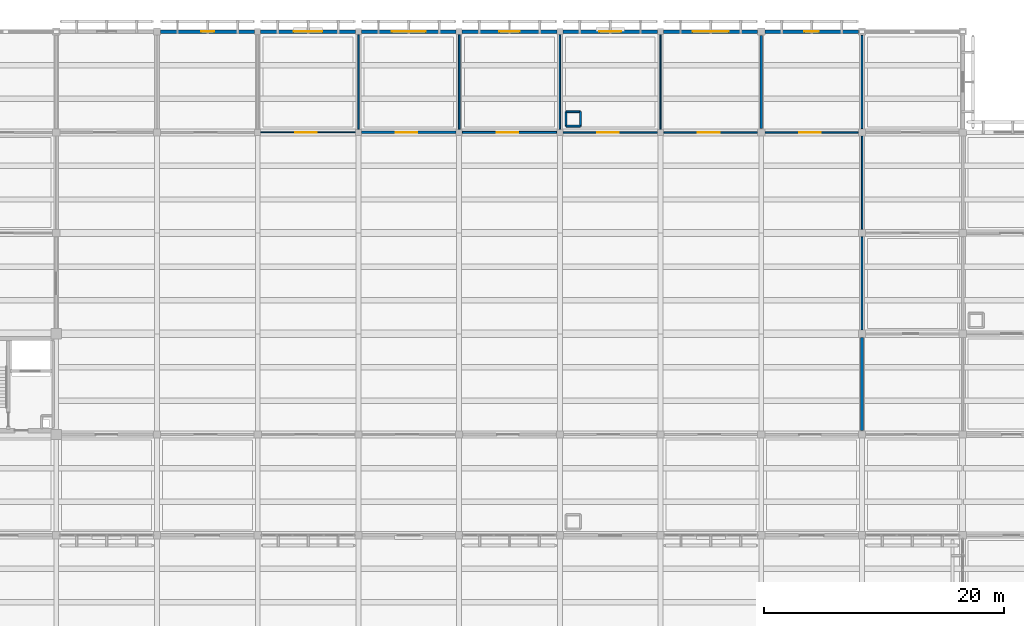
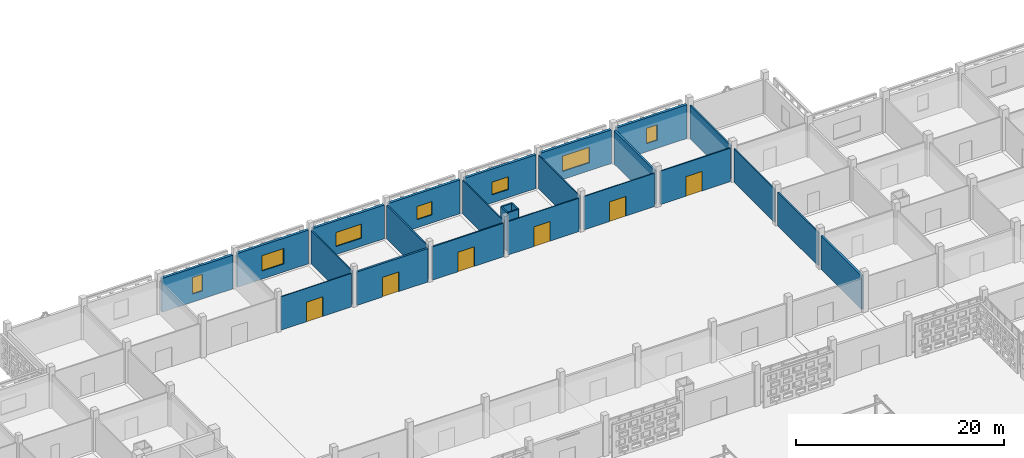
# One storey, part 67 of 129: 26 walls, 7 windows, 6 doors, 13 openings.
"""IFC4 building model written with IfcOpenShell, lengths in metres."""

from ifc_helpers import new_model, si_unit, direction, frame, frame_2d, origin, place, context, subcontext, project, spatial, rectangle, extrude, material, layer, layer_set, type_object, element, fill, save


model = new_model("IFC4")

# Units and contexts
model_context = context("Model", 3, precision=1e-05, world=origin(), true_north=direction((0.0, 1.0)))
body_context = subcontext(model_context, "Body", "Model", "MODEL_VIEW")
ifc_project = project(units=[si_unit("LENGTHUNIT", "METRE"), si_unit("AREAUNIT", "SQUARE_METRE"), si_unit("VOLUMEUNIT", "CUBIC_METRE"), si_unit("PLANEANGLEUNIT", "RADIAN"), si_unit("MASSUNIT", "GRAM", prefix="KILO")], contexts=[model_context])

# Site, building, storey
site_placement = place(None, origin())
site = spatial("IfcSite", under=ifc_project, at=site_placement, CompositionType="ELEMENT")
building_placement = place(site_placement, origin())
building = spatial("IfcBuilding", under=site, at=building_placement, Name="Varnapada Polytechnic", CompositionType="ELEMENT")
storey_placement = place(building_placement, origin())
storey = spatial("IfcBuildingStorey", under=building, at=storey_placement, Name="L00", CompositionType="ELEMENT", Elevation=0.0)

# Walls
ifc_material_1 = material(Name="Autoclaved Aerated Concrete Block AAC-600", Category="concrete")
ifc_layer_1 = layer(ifc_material_1, 0.14990234375)
ifc_layer_set_1 = layer_set([ifc_layer_1], Name="Autoclaved Aerated Concrete Block AAC-600")
wall_type_1 = type_object("IfcWallType", Name="Interior Wall IW-02", PredefinedType="PARTITIONING", material=ifc_layer_set_1)
for number, where, z_axis, x_axis, name in (
    (1, (101.320068359375, 118.1201171875, 0.0), (0.0, 0.0, 1.0), (1.0, 0.0, 0.0), "L00 enclosed service riser wall (13,15) S"),
    (2, (102.52001953125, 118.1201171875, 0.0), (0.0, 0.0, 1.0), (0.0, 1.0, 0.0), "L00 enclosed service riser wall (13,15) E"),
    (3, (102.52001953125, 119.320068359375, 0.0), (0.0, 0.0, 1.0), (-1.0, 0.0, 0.0), "L00 enclosed service riser wall (13,15) N"),
    (4, (101.320068359375, 119.320068359375, 0.0), (0.0, 0.0, 1.0), (0.0, -1.0, 0.0), "L00 enclosed service riser wall (13,15) W"),
):
    element("IfcWall", number, at=place(storey_placement, frame(where, z_axis=z_axis, x_axis=x_axis)), inside=storey, type_object=wall_type_1, Name=name, PredefinedType="PARTITIONING", context=body_context, shape_type="SweptSolid", body=[
        extrude(rectangle(XDim=1.199951171875, YDim=0.14990234375, at=frame_2d((0.60009765625, 0.0))), origin(), (0.0, 0.0, 1.0), 4.5400390625),
    ])

# Wall, opening, door
wall_1_placement = place(storey_placement, frame((92.669921875, 117.60009765625, 0.0), z_axis=(0.0, 0.0, 1.0), x_axis=(1.0, 0.0, 0.0)))
wall_1 = element("IfcWall", 5, at=wall_1_placement, inside=storey, type_object=wall_type_1, Name="L00 interior partition IW-L00-11-13-H", PredefinedType="PARTITIONING", context=body_context, shape_type="SweptSolid", body=[
    extrude(rectangle(XDim=7.860107421875, YDim=0.14990234375, at=frame_2d((3.93017578125, 0.0))), origin(), (0.0, 0.0, 1.0), 3.919921875),
])
opening_1_placement = place(wall_1_placement, frame((2.85009765625, 0.0, 0.0)))
opening_1 = element("IfcOpeningElement", 6, at=opening_1_placement, cuts=wall_1, Name="Opening D-886", PredefinedType="OPENING", context=body_context, shape_type="SweptSolid", body=[
    extrude(rectangle(XDim=1.800048828125, YDim=2.300048828125, at=frame_2d((0.89990234375, 1.14990234375))), frame((0.0, 0.0849609375, 0.0), z_axis=(0.0, -1.0, 0.0), x_axis=(1.0, 0.0, 0.0)), (0.0, 0.0, 1.0), 0.169921875),
])
ifc_material_2 = material(Name="Acoustic Double Timber Leaf", Category="wood")
door_type = type_object("IfcDoorType", Name="Interior Door ID-04", OperationType="NOTDEFINED", PredefinedType="DOOR", material=ifc_material_2)
door_1_placement = place(opening_1_placement, origin())
door_1 = element("IfcDoor", 7, at=door_1_placement, inside=storey, type_object=door_type, Name="L00 interior room door D-886", OperationType="SINGLE_SWING_LEFT", OverallHeight=2.300048828125, OverallWidth=1.800048828125, PredefinedType="DOOR", context=body_context, shape_type="SweptSolid", body=[
    extrude(rectangle(XDim=1.800048828125, YDim=2.300048828125, at=frame_2d((0.89990234375, 1.14990234375))), frame((0.0, 0.02490234375, 0.0), z_axis=(0.0, -1.0, 0.0), x_axis=(1.0, 0.0, 0.0)), (0.0, 0.0, 1.0), 0.050048828125),
])
fill(opening_1, door_1)

# Walls
wall_2_placement = place(storey_placement, frame((126.0, 101.1201171875, 0.0), z_axis=(0.0, 0.0, 1.0), x_axis=(0.0, 1.0, 0.0)))
element("IfcWall", 8, at=wall_2_placement, inside=storey, type_object=wall_type_1, Name="L00 interior partition IW-L00-14-12-V", PredefinedType="PARTITIONING", context=body_context, shape_type="SweptSolid", body=[
    extrude(rectangle(XDim=7.759765625, YDim=0.14990234375, at=frame_2d((3.8798828125, 0.0))), origin(), (0.0, 0.0, 1.0), 3.919921875),
])
ifc_material_3 = material(Name="Gypsum Plasterboard Acoustic Partition")
ifc_layer_2 = layer(ifc_material_3, 0.125)
ifc_layer_set_2 = layer_set([ifc_layer_2], Name="Gypsum Plasterboard Acoustic Partition")
wall_type_2 = type_object("IfcWallType", Name="Interior Wall IW-03", PredefinedType="PARTITIONING", material=ifc_layer_set_2)
wall_3_placement = place(storey_placement, frame((100.800048828125, 117.8701171875, 0.0), z_axis=(0.0, 0.0, 1.0), x_axis=(0.0, 1.0, 0.0)))
element("IfcWall", 9, at=wall_3_placement, inside=storey, type_object=wall_type_2, Name="L00 interior partition IW-L00-11-14-V", PredefinedType="PARTITIONING", context=body_context, shape_type="SweptSolid", body=[
    extrude(rectangle(XDim=7.85986328125, YDim=0.125, at=frame_2d((3.929931640625, 0.0))), origin(), (0.0, 0.0, 1.0), 3.919921875),
])
wall_4_placement = place(storey_placement, frame((126.0, 109.52001953125, 0.0), z_axis=(0.0, 0.0, 1.0), x_axis=(0.0, 1.0, 0.0)))
element("IfcWall", 10, at=wall_4_placement, inside=storey, type_object=wall_type_2, Name="L00 interior partition IW-L00-14-13-V", PredefinedType="PARTITIONING", context=body_context, shape_type="SweptSolid", body=[
    extrude(rectangle(XDim=7.760009765625, YDim=0.125, at=frame_2d((3.8798828125, 0.0))), origin(), (0.0, 0.0, 1.0), 3.919921875),
])

# Wall, opening, door
ifc_material_4 = material(Name="Moisture-Resistant Cement Board Partition")
ifc_layer_3 = layer(ifc_material_4, 0.139892578125)
ifc_layer_set_3 = layer_set([ifc_layer_3], Name="Moisture-Resistant Cement Board Partition")
wall_type_3 = type_object("IfcWallType", Name="Interior Wall IW-04", PredefinedType="PARTITIONING", material=ifc_layer_set_3)
wall_5_placement = place(storey_placement, frame((117.919921875, 117.60009765625, 0.0), z_axis=(0.0, 0.0, 1.0), x_axis=(1.0, 0.0, 0.0)))
wall_5 = element("IfcWall", 11, at=wall_5_placement, inside=storey, type_object=wall_type_3, Name="L00 interior partition IW-L00-14-13-H", PredefinedType="PARTITIONING", context=body_context, shape_type="SweptSolid", body=[
    extrude(rectangle(XDim=7.760009765625, YDim=0.139892578125, at=frame_2d((3.8798828125, 0.0))), origin(), (0.0, 0.0, 1.0), 3.919921875),
])
opening_2_placement = place(wall_5_placement, frame((2.85009765625, 0.0, 0.0)))
opening_2 = element("IfcOpeningElement", 12, at=opening_2_placement, cuts=wall_5, Name="Opening D-895", PredefinedType="OPENING", context=body_context, shape_type="SweptSolid", body=[
    extrude(rectangle(XDim=1.800048828125, YDim=2.300048828125, at=frame_2d((0.89990234375, 1.14990234375))), frame((0.0, 0.079833984375, 0.0), z_axis=(0.0, -1.0, 0.0), x_axis=(1.0, 0.0, 0.0)), (0.0, 0.0, 1.0), 0.159912109375),
])
door_2_placement = place(opening_2_placement, origin())
door_2 = element("IfcDoor", 13, at=door_2_placement, inside=storey, type_object=door_type, Name="L00 interior room door D-895", OperationType="SINGLE_SWING_RIGHT", OverallHeight=2.300048828125, OverallWidth=1.800048828125, PredefinedType="DOOR", context=body_context, shape_type="SweptSolid", body=[
    extrude(rectangle(XDim=1.800048828125, YDim=2.300048828125, at=frame_2d((0.89990234375, 1.14990234375))), frame((0.0, 0.02490234375, 0.0), z_axis=(0.0, -1.0, 0.0), x_axis=(1.0, 0.0, 0.0)), (0.0, 0.0, 1.0), 0.050048828125),
])
fill(opening_2, door_2)

# Wall
ifc_material_5 = material(Name="Cross-laminated timber CLT C24", Category="wood")
ifc_layer_4 = layer(ifc_material_5, 0.159912109375)
ifc_layer_set_4 = layer_set([ifc_layer_4], Name="Cross-laminated timber CLT C24")
wall_type_4 = type_object("IfcWallType", Name="Interior Wall IW-05", PredefinedType="PARTITIONING", material=ifc_layer_set_4)
wall_6_placement = place(storey_placement, frame((126.0, 117.919921875, 0.0), z_axis=(0.0, 0.0, 1.0), x_axis=(0.0, 1.0, 0.0)))
element("IfcWall", 14, at=wall_6_placement, inside=storey, type_object=wall_type_4, Name="L00 interior partition IW-L00-14-14-V", PredefinedType="PARTITIONING", context=body_context, shape_type="SweptSolid", body=[
    extrude(rectangle(XDim=7.760009765625, YDim=0.159912109375, at=frame_2d((3.8798828125, 0.0))), origin(), (0.0, 0.0, 1.0), 3.919921875),
])

# Wall, opening, door
ifc_material_6 = material(Name="Glazed Timber-Framed Studio Screen", Category="wood")
ifc_layer_5 = layer(ifc_material_6, 0.110107421875)
ifc_layer_set_5 = layer_set([ifc_layer_5], Name="Glazed Timber-Framed Studio Screen")
wall_type_5 = type_object("IfcWallType", Name="Interior Wall IW-07", PredefinedType="PARTITIONING", material=ifc_layer_set_5)
wall_7_placement = place(storey_placement, frame((101.070068359375, 117.60009765625, 0.0), z_axis=(0.0, 0.0, 1.0), x_axis=(1.0, 0.0, 0.0)))
wall_7 = element("IfcWall", 15, at=wall_7_placement, inside=storey, type_object=wall_type_5, Name="L00 interior partition IW-L00-12-13-H", PredefinedType="PARTITIONING", context=body_context, shape_type="SweptSolid", body=[
    extrude(rectangle(XDim=7.85986328125, YDim=0.110107421875, at=frame_2d((3.929931640625, 0.0))), origin(), (0.0, 0.0, 1.0), 3.919921875),
])
opening_3_placement = place(wall_7_placement, frame((2.85009765625, 0.0, 0.0)))
opening_3 = element("IfcOpeningElement", 16, at=opening_3_placement, cuts=wall_7, Name="Opening D-890", PredefinedType="OPENING", context=body_context, shape_type="SweptSolid", body=[
    extrude(rectangle(XDim=1.800048828125, YDim=2.300048828125, at=frame_2d((0.89990234375, 1.14990234375))), frame((0.0, 0.06494140625, 0.0), z_axis=(0.0, -1.0, 0.0), x_axis=(1.0, 0.0, 0.0)), (0.0, 0.0, 1.0), 0.130126953125),
])
door_3_placement = place(opening_3_placement, frame((1.800048828125, 0.0, 0.0), z_axis=(0.0, 0.0, 1.0), x_axis=(-1.0, 0.0, 0.0)))
door_3 = element("IfcDoor", 17, at=door_3_placement, inside=storey, type_object=door_type, Name="L00 interior room door D-890", OperationType="SINGLE_SWING_LEFT", OverallHeight=2.300048828125, OverallWidth=1.800048828125, PredefinedType="DOOR", context=body_context, shape_type="SweptSolid", body=[
    extrude(rectangle(XDim=1.800048828125, YDim=2.300048828125, at=frame_2d((0.89990234375, 1.14990234375))), frame((0.0, 0.02490234375, 0.0), z_axis=(0.0, -1.0, 0.0), x_axis=(1.0, 0.0, 0.0)), (0.0, 0.0, 1.0), 0.050048828125),
])
fill(opening_3, door_3)

ifc_material_7 = material(Name="Operable Acoustic Seminar Partition")
ifc_layer_6 = layer(ifc_material_7, 0.10009765625)
ifc_layer_set_6 = layer_set([ifc_layer_6], Name="Operable Acoustic Seminar Partition")
wall_type_6 = type_object("IfcWallType", Name="Interior Wall IW-08", PredefinedType="MOVABLE", material=ifc_layer_set_6)
wall_8_placement = place(storey_placement, frame((75.8701171875, 117.60009765625, 0.0), z_axis=(0.0, 0.0, 1.0), x_axis=(1.0, 0.0, 0.0)))
wall_8 = element("IfcWall", 18, at=wall_8_placement, inside=storey, type_object=wall_type_6, Name="L00 interior partition IW-L00-09-13-H", PredefinedType="MOVABLE", context=body_context, shape_type="SweptSolid", body=[
    extrude(rectangle(XDim=7.85986328125, YDim=0.10009765625, at=frame_2d((3.929931640625, 0.0))), origin(), (0.0, 0.0, 1.0), 3.919921875),
])
opening_4_placement = place(wall_8_placement, frame((2.85009765625, 0.0, 0.0)))
opening_4 = element("IfcOpeningElement", 19, at=opening_4_placement, cuts=wall_8, Name="Opening D-880", PredefinedType="OPENING", context=body_context, shape_type="SweptSolid", body=[
    extrude(rectangle(XDim=1.800048828125, YDim=2.300048828125, at=frame_2d((0.89990234375, 1.14990234375))), frame((0.0, 0.06005859375, 0.0), z_axis=(0.0, -1.0, 0.0), x_axis=(1.0, 0.0, 0.0)), (0.0, 0.0, 1.0), 0.1201171875),
])
door_4_placement = place(opening_4_placement, origin())
door_4 = element("IfcDoor", 20, at=door_4_placement, inside=storey, type_object=door_type, Name="L00 interior room door D-880", OperationType="SINGLE_SWING_LEFT", OverallHeight=2.300048828125, OverallWidth=1.800048828125, PredefinedType="DOOR", context=body_context, shape_type="SweptSolid", body=[
    extrude(rectangle(XDim=1.800048828125, YDim=2.300048828125, at=frame_2d((0.89990234375, 1.14990234375))), frame((0.0, 0.02490234375, 0.0), z_axis=(0.0, -1.0, 0.0), x_axis=(1.0, 0.0, 0.0)), (0.0, 0.0, 1.0), 0.050048828125),
])
fill(opening_4, door_4)

# Walls
wall_9_placement = place(storey_placement, frame((109.199951171875, 117.8701171875, 0.0), z_axis=(0.0, 0.0, 1.0), x_axis=(0.0, 1.0, 0.0)))
element("IfcWall", 21, at=wall_9_placement, inside=storey, type_object=wall_type_6, Name="L00 interior partition IW-L00-12-14-V", PredefinedType="MOVABLE", context=body_context, shape_type="SweptSolid", body=[
    extrude(rectangle(XDim=7.85986328125, YDim=0.10009765625, at=frame_2d((3.929931640625, 0.0))), origin(), (0.0, 0.0, 1.0), 3.919921875),
])
ifc_material_8 = material(Name="Calcium Silicate Acoustic Lab Partition")
ifc_layer_7 = layer(ifc_material_8, 0.135009765625)
ifc_layer_set_7 = layer_set([ifc_layer_7], Name="Calcium Silicate Acoustic Lab Partition")
wall_type_7 = type_object("IfcWallType", Name="Interior Wall IW-09", PredefinedType="PARTITIONING", material=ifc_layer_set_7)
wall_10_placement = place(storey_placement, frame((84.0, 117.8701171875, 0.0), z_axis=(0.0, 0.0, 1.0), x_axis=(0.0, 1.0, 0.0)))
element("IfcWall", 22, at=wall_10_placement, inside=storey, type_object=wall_type_7, Name="L00 interior partition IW-L00-09-14-V", PredefinedType="PARTITIONING", context=body_context, shape_type="SweptSolid", body=[
    extrude(rectangle(XDim=7.85986328125, YDim=0.135009765625, at=frame_2d((3.929931640625, 0.0))), origin(), (0.0, 0.0, 1.0), 3.919921875),
])

# Wall, opening, door
ifc_material_9 = material(Name="Timber-Stud Studio Critique Partition", Category="wood")
ifc_layer_8 = layer(ifc_material_9, 0.114990234375)
ifc_layer_set_8 = layer_set([ifc_layer_8], Name="Timber-Stud Studio Critique Partition")
wall_type_8 = type_object("IfcWallType", Name="Interior Wall IW-12", PredefinedType="PARTITIONING", material=ifc_layer_set_8)
wall_11_placement = place(storey_placement, frame((109.469970703125, 117.60009765625, 0.0), z_axis=(0.0, 0.0, 1.0), x_axis=(1.0, 0.0, 0.0)))
wall_11 = element("IfcWall", 23, at=wall_11_placement, inside=storey, type_object=wall_type_8, Name="L00 interior partition IW-L00-13-13-H", PredefinedType="PARTITIONING", context=body_context, shape_type="SweptSolid", body=[
    extrude(rectangle(XDim=7.81005859375, YDim=0.114990234375, at=frame_2d((3.905029296875, 0.0))), origin(), (0.0, 0.0, 1.0), 3.919921875),
])
opening_5_placement = place(wall_11_placement, frame((2.85009765625, 0.0, 0.0)))
opening_5 = element("IfcOpeningElement", 24, at=opening_5_placement, cuts=wall_11, Name="Opening D-892", PredefinedType="OPENING", context=body_context, shape_type="SweptSolid", body=[
    extrude(rectangle(XDim=1.800048828125, YDim=2.300048828125, at=frame_2d((0.89990234375, 1.14990234375))), frame((0.0, 0.0673828125, 0.0), z_axis=(0.0, -1.0, 0.0), x_axis=(1.0, 0.0, 0.0)), (0.0, 0.0, 1.0), 0.135009765625),
])
door_5_placement = place(opening_5_placement, origin())
door_5 = element("IfcDoor", 25, at=door_5_placement, inside=storey, type_object=door_type, Name="L00 interior room door D-892", OperationType="SINGLE_SWING_LEFT", OverallHeight=2.300048828125, OverallWidth=1.800048828125, PredefinedType="DOOR", context=body_context, shape_type="SweptSolid", body=[
    extrude(rectangle(XDim=1.800048828125, YDim=2.300048828125, at=frame_2d((0.89990234375, 1.14990234375))), frame((0.0, 0.02490234375, 0.0), z_axis=(0.0, -1.0, 0.0), x_axis=(1.0, 0.0, 0.0)), (0.0, 0.0, 1.0), 0.050048828125),
])
fill(opening_5, door_5)

ifc_material_10 = material(Name="Heavy Acoustic Auditorium Baffle Wall")
ifc_layer_9 = layer(ifc_material_10, 0.219970703125)
ifc_layer_set_9 = layer_set([ifc_layer_9], Name="Heavy Acoustic Auditorium Baffle Wall")
wall_type_9 = type_object("IfcWallType", Name="Interior Wall IW-13", PredefinedType="PARTITIONING", material=ifc_layer_set_9)
wall_12_placement = place(storey_placement, frame((84.27001953125, 117.60009765625, 0.0), z_axis=(0.0, 0.0, 1.0), x_axis=(1.0, 0.0, 0.0)))
wall_12 = element("IfcWall", 26, at=wall_12_placement, inside=storey, type_object=wall_type_9, Name="L00 interior partition IW-L00-10-13-H", PredefinedType="PARTITIONING", context=body_context, shape_type="SweptSolid", body=[
    extrude(rectangle(XDim=7.85986328125, YDim=0.219970703125, at=frame_2d((3.929931640625, 0.0))), origin(), (0.0, 0.0, 1.0), 3.919921875),
])
opening_6_placement = place(wall_12_placement, frame((2.85009765625, 0.0, 0.0)))
opening_6 = element("IfcOpeningElement", 27, at=opening_6_placement, cuts=wall_12, Name="Opening D-883", PredefinedType="OPENING", context=body_context, shape_type="SweptSolid", body=[
    extrude(rectangle(XDim=1.800048828125, YDim=2.300048828125, at=frame_2d((0.89990234375, 1.14990234375))), frame((0.0, 0.119873046875, 0.0), z_axis=(0.0, -1.0, 0.0), x_axis=(1.0, 0.0, 0.0)), (0.0, 0.0, 1.0), 0.239990234375),
])
door_6_placement = place(opening_6_placement, origin())
door_6 = element("IfcDoor", 28, at=door_6_placement, inside=storey, type_object=door_type, Name="L00 interior room door D-883", OperationType="SINGLE_SWING_RIGHT", OverallHeight=2.300048828125, OverallWidth=1.800048828125, PredefinedType="DOOR", context=body_context, shape_type="SweptSolid", body=[
    extrude(rectangle(XDim=1.800048828125, YDim=2.300048828125, at=frame_2d((0.89990234375, 1.14990234375))), frame((0.0, 0.02490234375, 0.0), z_axis=(0.0, -1.0, 0.0), x_axis=(1.0, 0.0, 0.0)), (0.0, 0.0, 1.0), 0.050048828125),
])
fill(opening_6, door_6)

# Walls
wall_13_placement = place(storey_placement, frame((117.60009765625, 117.919921875, 0.0), z_axis=(0.0, 0.0, 1.0), x_axis=(0.0, 1.0, 0.0)))
element("IfcWall", 29, at=wall_13_placement, inside=storey, type_object=wall_type_9, Name="L00 interior partition IW-L00-13-14-V", PredefinedType="PARTITIONING", context=body_context, shape_type="SweptSolid", body=[
    extrude(rectangle(XDim=7.760009765625, YDim=0.219970703125, at=frame_2d((3.8798828125, 0.0))), origin(), (0.0, 0.0, 1.0), 3.919921875),
])
ifc_material_11 = material(Name="Ceramic-Tiled Wet Laboratory Wall")
ifc_layer_10 = layer(ifc_material_11, 0.14501953125)
ifc_layer_set_10 = layer_set([ifc_layer_10], Name="Ceramic-Tiled Wet Laboratory Wall")
wall_type_10 = type_object("IfcWallType", Name="Interior Wall IW-14", PredefinedType="PARTITIONING", material=ifc_layer_set_10)
wall_14_placement = place(storey_placement, frame((92.39990234375, 117.8701171875, 0.0), z_axis=(0.0, 0.0, 1.0), x_axis=(0.0, 1.0, 0.0)))
element("IfcWall", 30, at=wall_14_placement, inside=storey, type_object=wall_type_10, Name="L00 interior partition IW-L00-10-14-V", PredefinedType="PARTITIONING", context=body_context, shape_type="SweptSolid", body=[
    extrude(rectangle(XDim=7.85986328125, YDim=0.14501953125, at=frame_2d((3.929931640625, 0.0))), origin(), (0.0, 0.0, 1.0), 3.919921875),
])
ifc_material_12 = material(Name="Double-Leaf Acoustic Lecture Wall")
ifc_layer_11 = layer(ifc_material_12, 0.235107421875)
ifc_layer_set_11 = layer_set([ifc_layer_11], Name="Double-Leaf Acoustic Lecture Wall")
wall_type_11 = type_object("IfcWallType", Name="Interior Wall IW-17", PredefinedType="PARTITIONING", material=ifc_layer_set_11)
wall_15_placement = place(storey_placement, frame((126.0, 92.719970703125, 0.0), z_axis=(0.0, 0.0, 1.0), x_axis=(0.0, 1.0, 0.0)))
element("IfcWall", 31, at=wall_15_placement, inside=storey, type_object=wall_type_11, Name="L00 interior partition IW-L00-14-11-V", PredefinedType="PARTITIONING", context=body_context, shape_type="SweptSolid", body=[
    extrude(rectangle(XDim=7.760009765625, YDim=0.235107421875, at=frame_2d((3.8798828125, 0.0))), origin(), (0.0, 0.0, 1.0), 3.919921875),
])

# Wall, opening, window
ifc_material_13 = material(Name="Precast concrete C40/50", Category="concrete")
ifc_layer_12 = layer(ifc_material_13, 0.280029296875)
ifc_layer_set_12 = layer_set([ifc_layer_12], Name="Precast concrete C40/50")
wall_type_12 = type_object("IfcWallType", Name="Wall EW-02", PredefinedType="SOLIDWALL", material=ifc_layer_set_12)
wall_16_placement = place(storey_placement, frame((67.5, 126.0, 0.0), z_axis=(0.0, 0.0, 1.0), x_axis=(1.0, 0.0, 0.0)))
wall_16 = element("IfcWall", 32, at=wall_16_placement, inside=storey, type_object=wall_type_12, Name="L00 exterior wall EW-02 (51)", PredefinedType="SOLIDWALL", context=body_context, shape_type="SweptSolid", body=[
    extrude(rectangle(XDim=7.85009765625, YDim=0.280029296875, at=frame_2d((3.925048828125, 0.0))), origin(), (0.0, 0.0, 1.0), 3.9599609375),
])
opening_7_placement = place(wall_16_placement, frame((3.375, 0.0, 0.949951171875)))
opening_7 = element("IfcOpeningElement", 33, at=opening_7_placement, cuts=wall_16, Name="Opening WN-15", PredefinedType="OPENING", context=body_context, shape_type="SweptSolid", body=[
    extrude(rectangle(XDim=1.10009765625, YDim=1.949951171875, at=frame_2d((0.550048828125, 0.97509765625))), frame((0.0, 0.14990234375, 0.0), z_axis=(0.0, -1.0, 0.0), x_axis=(1.0, 0.0, 0.0)), (0.0, 0.0, 1.0), 0.300048828125),
])
ifc_material_14 = material(Name="Double low-E laminated glass", Category="glass")
window_type_1 = type_object("IfcWindowType", Name="Window WN-15", PartitioningType="SINGLE_PANEL", PredefinedType="WINDOW", material=ifc_material_14)
window_1_placement = place(opening_7_placement, origin())
window_1 = element("IfcWindow", 34, at=window_1_placement, inside=storey, type_object=window_type_1, Name="L00 window WN-15 (30)", OverallHeight=1.949951171875, OverallWidth=1.10009765625, PartitioningType="SINGLE_PANEL", PredefinedType="WINDOW", context=body_context, shape_type="SweptSolid", body=[
    extrude(rectangle(XDim=1.10009765625, YDim=1.949951171875, at=frame_2d((0.550048828125, 0.97509765625))), frame((0.0, 0.030029296875, 0.0), z_axis=(0.0, -1.0, 0.0), x_axis=(1.0, 0.0, 0.0)), (0.0, 0.0, 1.0), 0.06005859375),
])
fill(opening_7, window_1)

wall_17_placement = place(storey_placement, frame((75.85009765625, 126.0, 0.0), z_axis=(0.0, 0.0, 1.0), x_axis=(1.0, 0.0, 0.0)))
wall_17 = element("IfcWall", 35, at=wall_17_placement, inside=storey, type_object=wall_type_12, Name="L00 exterior wall EW-02 (55)", PredefinedType="SOLIDWALL", context=body_context, shape_type="SweptSolid", body=[
    extrude(rectangle(XDim=7.89990234375, YDim=0.280029296875, at=frame_2d((3.949951171875, 0.0))), origin(), (0.0, 0.0, 1.0), 3.9599609375),
])
opening_8_placement = place(wall_17_placement, frame((2.75, 0.0, 0.949951171875)))
opening_8 = element("IfcOpeningElement", 36, at=opening_8_placement, cuts=wall_17, Name="Opening WN-02", PredefinedType="OPENING", context=body_context, shape_type="SweptSolid", body=[
    extrude(rectangle(XDim=2.39990234375, YDim=1.800048828125, at=frame_2d((1.199951171875, 0.89990234375))), frame((0.0, 0.14990234375, 0.0), z_axis=(0.0, -1.0, 0.0), x_axis=(1.0, 0.0, 0.0)), (0.0, 0.0, 1.0), 0.300048828125),
])
window_type_2 = type_object("IfcWindowType", Name="Window WN-02", PartitioningType="SINGLE_PANEL", PredefinedType="WINDOW", material=ifc_material_14)
window_2_placement = place(opening_8_placement, origin())
window_2 = element("IfcWindow", 37, at=window_2_placement, inside=storey, type_object=window_type_2, Name="L00 window WN-02 (32)", OverallHeight=1.800048828125, OverallWidth=2.39990234375, PartitioningType="SINGLE_PANEL", PredefinedType="WINDOW", context=body_context, shape_type="SweptSolid", body=[
    extrude(rectangle(XDim=2.39990234375, YDim=1.800048828125, at=frame_2d((1.199951171875, 0.89990234375))), frame((0.0, 0.030029296875, 0.0), z_axis=(0.0, -1.0, 0.0), x_axis=(1.0, 0.0, 0.0)), (0.0, 0.0, 1.0), 0.06005859375),
])
fill(opening_8, window_2)

wall_18_placement = place(storey_placement, frame((84.25, 126.0, 0.0), z_axis=(0.0, 0.0, 1.0), x_axis=(1.0, 0.0, 0.0)))
wall_18 = element("IfcWall", 38, at=wall_18_placement, inside=storey, type_object=wall_type_12, Name="L00 exterior wall EW-02 (59)", PredefinedType="SOLIDWALL", context=body_context, shape_type="SweptSolid", body=[
    extrude(rectangle(XDim=7.89990234375, YDim=0.280029296875, at=frame_2d((3.949951171875, 0.0))), origin(), (0.0, 0.0, 1.0), 3.9599609375),
])
opening_9_placement = place(wall_18_placement, frame((2.550048828125, 0.0, 0.949951171875)))
opening_9 = element("IfcOpeningElement", 39, at=opening_9_placement, cuts=wall_18, Name="Opening WN-13", PredefinedType="OPENING", context=body_context, shape_type="SweptSolid", body=[
    extrude(rectangle(XDim=2.800048828125, YDim=1.64990234375, at=frame_2d((1.39990234375, 0.824951171875))), frame((0.0, 0.14990234375, 0.0), z_axis=(0.0, -1.0, 0.0), x_axis=(1.0, 0.0, 0.0)), (0.0, 0.0, 1.0), 0.300048828125),
])
window_type_3 = type_object("IfcWindowType", Name="Window WN-13", PartitioningType="SINGLE_PANEL", PredefinedType="WINDOW", material=ifc_material_14)
window_3_placement = place(opening_9_placement, origin())
window_3 = element("IfcWindow", 40, at=window_3_placement, inside=storey, type_object=window_type_3, Name="L00 window WN-13 (33)", OverallHeight=1.64990234375, OverallWidth=2.800048828125, PartitioningType="SINGLE_PANEL", PredefinedType="WINDOW", context=body_context, shape_type="SweptSolid", body=[
    extrude(rectangle(XDim=2.800048828125, YDim=1.64990234375, at=frame_2d((1.39990234375, 0.824951171875))), frame((0.0, 0.030029296875, 0.0), z_axis=(0.0, -1.0, 0.0), x_axis=(1.0, 0.0, 0.0)), (0.0, 0.0, 1.0), 0.06005859375),
])
fill(opening_9, window_3)

wall_19_placement = place(storey_placement, frame((92.64990234375, 126.0, 0.0), z_axis=(0.0, 0.0, 1.0), x_axis=(1.0, 0.0, 0.0)))
wall_19 = element("IfcWall", 41, at=wall_19_placement, inside=storey, type_object=wall_type_12, Name="L00 exterior wall EW-02 (63)", PredefinedType="SOLIDWALL", context=body_context, shape_type="SweptSolid", body=[
    extrude(rectangle(XDim=7.900146484375, YDim=0.280029296875, at=frame_2d((3.9501953125, 0.0))), origin(), (0.0, 0.0, 1.0), 3.9599609375),
])
opening_10_placement = place(wall_19_placement, frame((3.10009765625, 0.0, 0.949951171875)))
opening_10 = element("IfcOpeningElement", 42, at=opening_10_placement, cuts=wall_19, Name="Opening WN-16", PredefinedType="OPENING", context=body_context, shape_type="SweptSolid", body=[
    extrude(rectangle(XDim=1.699951171875, YDim=1.550048828125, at=frame_2d((0.85009765625, 0.77490234375))), frame((0.0, 0.14990234375, 0.0), z_axis=(0.0, -1.0, 0.0), x_axis=(1.0, 0.0, 0.0)), (0.0, 0.0, 1.0), 0.300048828125),
])
window_type_4 = type_object("IfcWindowType", Name="Window WN-16", PartitioningType="SINGLE_PANEL", PredefinedType="WINDOW", material=ifc_material_14)
window_4_placement = place(opening_10_placement, origin())
window_4 = element("IfcWindow", 43, at=window_4_placement, inside=storey, type_object=window_type_4, Name="L00 window WN-16 (34)", OverallHeight=1.550048828125, OverallWidth=1.699951171875, PartitioningType="SINGLE_PANEL", PredefinedType="WINDOW", context=body_context, shape_type="SweptSolid", body=[
    extrude(rectangle(XDim=1.699951171875, YDim=1.550048828125, at=frame_2d((0.85009765625, 0.77490234375))), frame((0.0, 0.030029296875, 0.0), z_axis=(0.0, -1.0, 0.0), x_axis=(1.0, 0.0, 0.0)), (0.0, 0.0, 1.0), 0.06005859375),
])
fill(opening_10, window_4)

wall_20_placement = place(storey_placement, frame((101.050048828125, 126.0, 0.0), z_axis=(0.0, 0.0, 1.0), x_axis=(1.0, 0.0, 0.0)))
wall_20 = element("IfcWall", 44, at=wall_20_placement, inside=storey, type_object=wall_type_12, Name="L00 exterior wall EW-02 (67)", PredefinedType="SOLIDWALL", context=body_context, shape_type="SweptSolid", body=[
    extrude(rectangle(XDim=7.89990234375, YDim=0.280029296875, at=frame_2d((3.949951171875, 0.0))), origin(), (0.0, 0.0, 1.0), 3.9599609375),
])
opening_11_placement = place(wall_20_placement, frame((3.050048828125, 0.0, 0.949951171875)))
opening_11 = element("IfcOpeningElement", 45, at=opening_11_placement, cuts=wall_20, Name="Opening WN-05", PredefinedType="OPENING", context=body_context, shape_type="SweptSolid", body=[
    extrude(rectangle(XDim=1.800048828125, YDim=1.5, at=frame_2d((0.89990234375, 0.75))), frame((0.0, 0.14990234375, 0.0), z_axis=(0.0, -1.0, 0.0), x_axis=(1.0, 0.0, 0.0)), (0.0, 0.0, 1.0), 0.300048828125),
])
window_type_5 = type_object("IfcWindowType", Name="Window WN-05", PartitioningType="SINGLE_PANEL", PredefinedType="WINDOW", material=ifc_material_14)
window_5_placement = place(opening_11_placement, origin())
window_5 = element("IfcWindow", 46, at=window_5_placement, inside=storey, type_object=window_type_5, Name="L00 window WN-05 (35)", OverallHeight=1.5, OverallWidth=1.800048828125, PartitioningType="SINGLE_PANEL", PredefinedType="WINDOW", context=body_context, shape_type="SweptSolid", body=[
    extrude(rectangle(XDim=1.800048828125, YDim=1.5, at=frame_2d((0.89990234375, 0.75))), frame((0.0, 0.030029296875, 0.0), z_axis=(0.0, -1.0, 0.0), x_axis=(1.0, 0.0, 0.0)), (0.0, 0.0, 1.0), 0.06005859375),
])
fill(opening_11, window_5)

wall_21_placement = place(storey_placement, frame((109.449951171875, 126.0, 0.0), z_axis=(0.0, 0.0, 1.0), x_axis=(1.0, 0.0, 0.0)))
wall_21 = element("IfcWall", 47, at=wall_21_placement, inside=storey, type_object=wall_type_12, Name="L00 exterior wall EW-02 (71)", PredefinedType="SOLIDWALL", context=body_context, shape_type="SweptSolid", body=[
    extrude(rectangle(XDim=7.85009765625, YDim=0.280029296875, at=frame_2d((3.925048828125, 0.0))), origin(), (0.0, 0.0, 1.0), 3.9599609375),
])
opening_12_placement = place(wall_21_placement, frame((2.425048828125, 0.0, 0.949951171875)))
opening_12 = element("IfcOpeningElement", 48, at=opening_12_placement, cuts=wall_21, Name="Opening WN-14", PredefinedType="OPENING", context=body_context, shape_type="SweptSolid", body=[
    extrude(rectangle(XDim=3.0, YDim=1.800048828125, at=frame_2d((1.5, 0.89990234375))), frame((0.0, 0.14990234375, 0.0), z_axis=(0.0, -1.0, 0.0), x_axis=(1.0, 0.0, 0.0)), (0.0, 0.0, 1.0), 0.300048828125),
])
window_type_6 = type_object("IfcWindowType", Name="Window WN-14", PartitioningType="SINGLE_PANEL", PredefinedType="WINDOW", material=ifc_material_14)
window_6_placement = place(opening_12_placement, origin())
window_6 = element("IfcWindow", 49, at=window_6_placement, inside=storey, type_object=window_type_6, Name="L00 window WN-14 (37)", OverallHeight=1.800048828125, OverallWidth=3.0, PartitioningType="SINGLE_PANEL", PredefinedType="WINDOW", context=body_context, shape_type="SweptSolid", body=[
    extrude(rectangle(XDim=3.0, YDim=1.800048828125, at=frame_2d((1.5, 0.89990234375))), frame((0.0, 0.030029296875, 0.0), z_axis=(0.0, -1.0, 0.0), x_axis=(1.0, 0.0, 0.0)), (0.0, 0.0, 1.0), 0.06005859375),
])
fill(opening_12, window_6)

wall_22_placement = place(storey_placement, frame((117.89990234375, 126.0, 0.0), z_axis=(0.0, 0.0, 1.0), x_axis=(1.0, 0.0, 0.0)))
wall_22 = element("IfcWall", 50, at=wall_22_placement, inside=storey, type_object=wall_type_12, Name="L00 exterior wall EW-02 (75)", PredefinedType="SOLIDWALL", context=body_context, shape_type="SweptSolid", body=[
    extrude(rectangle(XDim=7.800048828125, YDim=0.280029296875, at=frame_2d((3.89990234375, 0.0))), origin(), (0.0, 0.0, 1.0), 3.9599609375),
])
opening_13_placement = place(wall_22_placement, frame((3.300048828125, 0.0, 0.949951171875)))
opening_13 = element("IfcOpeningElement", 51, at=opening_13_placement, cuts=wall_22, Name="Opening WN-01", PredefinedType="OPENING", context=body_context, shape_type="SweptSolid", body=[
    extrude(rectangle(XDim=1.199951171875, YDim=1.800048828125, at=frame_2d((0.60009765625, 0.89990234375))), frame((0.0, 0.14990234375, 0.0), z_axis=(0.0, -1.0, 0.0), x_axis=(1.0, 0.0, 0.0)), (0.0, 0.0, 1.0), 0.300048828125),
])
window_type_7 = type_object("IfcWindowType", Name="Window WN-01", PartitioningType="SINGLE_PANEL", PredefinedType="WINDOW", material=ifc_material_14)
window_7_placement = place(opening_13_placement, origin())
window_7 = element("IfcWindow", 52, at=window_7_placement, inside=storey, type_object=window_type_7, Name="L00 window WN-01 (38)", OverallHeight=1.800048828125, OverallWidth=1.199951171875, PartitioningType="SINGLE_PANEL", PredefinedType="WINDOW", context=body_context, shape_type="SweptSolid", body=[
    extrude(rectangle(XDim=1.199951171875, YDim=1.800048828125, at=frame_2d((0.60009765625, 0.89990234375))), frame((0.0, 0.030029296875, 0.0), z_axis=(0.0, -1.0, 0.0), x_axis=(1.0, 0.0, 0.0)), (0.0, 0.0, 1.0), 0.06005859375),
])
fill(opening_13, window_7)

save(model, "model.ifc")
